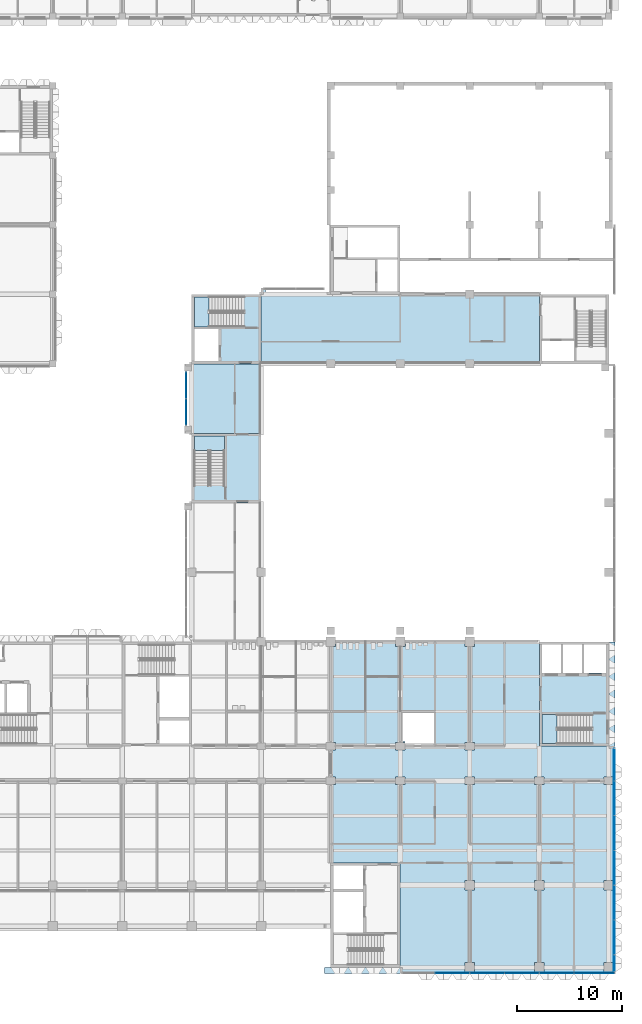
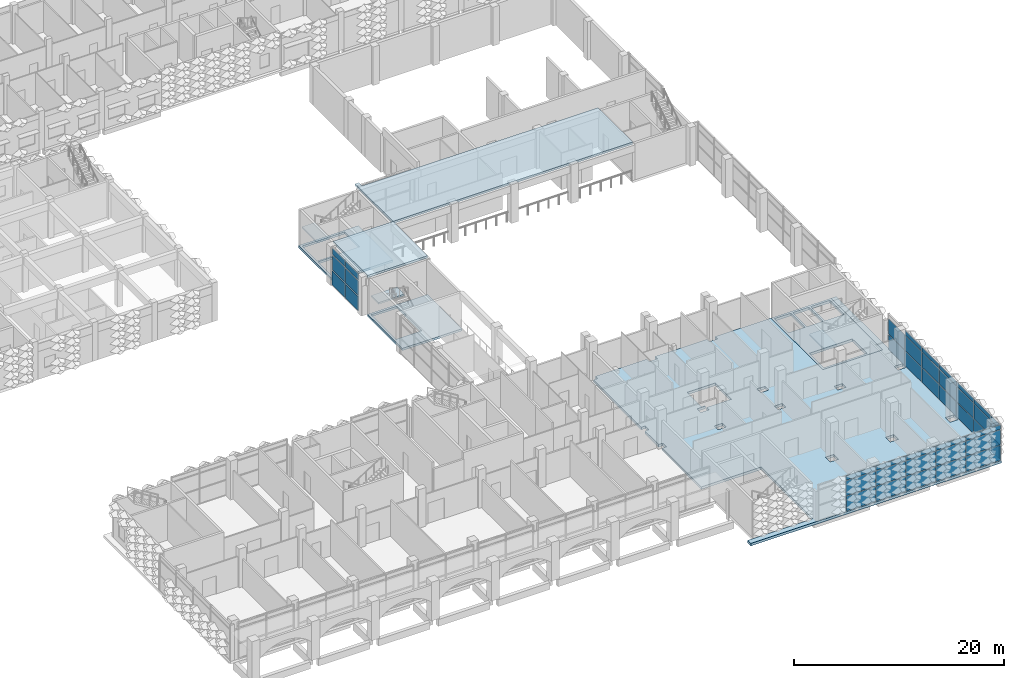
# One storey, part 23 of 87: 41 plates, 9 slabs, 6 elements without a shape of their own.
"""IFC4 building model written with IfcOpenShell, lengths in metres."""

from ifc_helpers import new_model, si_unit, direction, frame, origin, origin_2d, place, context, subcontext, project, spatial, polyline, rectangle, outline, extrude, material, layer, layer_set, type_object, element, aggregate, save


model = new_model("IFC4")

# Units and contexts
model_context = context("Model", 3, precision=1e-05, world=origin(), true_north=direction((0.0, 1.0)))
body_context = subcontext(model_context, "Body", "Model", "MODEL_VIEW")
ifc_project = project(units=[si_unit("LENGTHUNIT", "METRE"), si_unit("AREAUNIT", "SQUARE_METRE"), si_unit("VOLUMEUNIT", "CUBIC_METRE"), si_unit("PLANEANGLEUNIT", "RADIAN"), si_unit("MASSUNIT", "GRAM", prefix="KILO")], contexts=[model_context])

# Site, building, storey
site_placement = place(None, origin())
site = spatial("IfcSite", under=ifc_project, at=site_placement, CompositionType="ELEMENT")
building_placement = place(site_placement, origin())
building = spatial("IfcBuilding", under=site, at=building_placement, Name="Lantern Court Research Institute", CompositionType="ELEMENT")
storey_placement = place(building_placement, frame((0.0, 0.0, 5.39990234375)))
storey = spatial("IfcBuildingStorey", under=building, at=storey_placement, Name="L01", CompositionType="ELEMENT", Elevation=5.39990234375)

# Curtain wall, plates
ifc_material_1 = material(Name="Aluminium alloy 6063-T6", Category="aluminium")
curtain_wall_type_1 = type_object("IfcCurtainWallType", Name="Curtain wall 5200 x 4500 x 150 aluminium frame", PredefinedType="NOTDEFINED", material=ifc_material_1)
curtain_wall_1_placement = place(storey_placement, origin())
curtain_wall_1 = element("IfcCurtainWall", 1, at=curtain_wall_1_placement, inside=storey, type_object=curtain_wall_type_1, Name="Curtain wall CW020", PredefinedType="NOTDEFINED")
ifc_material_2 = material(Name="Fire-resisting insulated aluminium spandrel panel", Category="aluminium")
ifc_layer_1 = layer(ifc_material_2, 0.1201171875)
ifc_layer_set_1 = layer_set([ifc_layer_1], Name="Fire-resisting insulated aluminium spandrel panel")
plate_type_1 = type_object("IfcPlateType", Name="Fire-resisting spandrel panel 120 mm", PredefinedType="CURTAIN_PANEL", material=ifc_layer_set_1)
plate_1_placement = place(storey_placement, frame((39.074951171875, 44.925048828125, 0.10009765625), z_axis=(0.0, 0.0, 1.0), x_axis=(0.0, 1.0, 0.0)))
plate_1 = element("IfcPlate", 2, at=plate_1_placement, type_object=plate_type_1, Name="CW020 spandrel panel 1.1", PredefinedType="CURTAIN_PANEL", context=body_context, shape_type="SweptSolid", body=[
    extrude(rectangle(XDim=2.449951171875, YDim=0.1201171875, at=origin_2d()), origin(), (0.0, 0.0, 1.0), 1.64990234375),
])
plate_2_placement = place(storey_placement, frame((39.074951171875, 47.47509765625, 0.10009765625), z_axis=(0.0, 0.0, 1.0), x_axis=(0.0, 1.0, 0.0)))
plate_2 = element("IfcPlate", 3, at=plate_2_placement, type_object=plate_type_1, Name="CW020 spandrel panel 2.1", PredefinedType="CURTAIN_PANEL", context=body_context, shape_type="SweptSolid", body=[
    extrude(rectangle(XDim=2.449951171875, YDim=0.1201171875, at=origin_2d()), origin(), (0.0, 0.0, 1.0), 1.64990234375),
])

# Slabs
ifc_material_3 = material(Name="Concrete C35/45", Category="concrete")
ifc_layer_2 = layer(ifc_material_3, 0.25)
ifc_layer_set_2 = layer_set([ifc_layer_2], Name="Concrete C35/45")
slab_type_1 = type_object("IfcSlabType", Name="Hall gallery slab 250", PredefinedType="FLOOR", material=ifc_layer_set_2)
slab_1_placement = place(storey_placement, frame((0.0, 0.0, 4.25)))
element("IfcSlab", 4, at=slab_1_placement, inside=storey, type_object=slab_type_1, Name="Atrium gallery floor slab L02", PredefinedType="FLOOR", context=body_context, shape_type="SweptSolid", body=[
    extrude(outline(polyline([(39.60009765625, 49.5), (46.199951171875, 49.5), (46.199951171875, 42.89990234375), (39.60009765625, 42.89990234375), (39.60009765625, 49.5)])), origin(), (0.0, 0.0, 1.0), 0.25),
])
slab_2_placement = place(storey_placement, frame((0.0, 0.0, 4.25)))
element("IfcSlab", 5, at=slab_2_placement, inside=storey, type_object=slab_type_1, Name="Atrium gallery floor slab L02", PredefinedType="FLOOR", context=body_context, shape_type="SweptSolid", body=[
    extrude(outline(polyline([(72.60009765625, 56.10009765625), (72.60009765625, 49.5), (46.199951171875, 49.5), (46.199951171875, 56.699951171875), (46.60009765625, 56.699951171875), (46.60009765625, 56.10009765625), (72.60009765625, 56.10009765625)])), origin(), (0.0, 0.0, 1.0), 0.25),
])

# Curtain wall, plates
ifc_material_4 = material(Name="Aluminium alloy 6063-T6", Category="aluminium")
curtain_wall_type_2 = type_object("IfcCurtainWallType", Name="Curtain wall 20200 x 4200 x 150 aluminium frame", PredefinedType="NOTDEFINED", material=ifc_material_4)
curtain_wall_2_placement = place(storey_placement, origin())
curtain_wall_2 = element("IfcCurtainWall", 6, at=curtain_wall_2_placement, inside=storey, type_object=curtain_wall_type_2, Name="Curtain wall CW033", PredefinedType="NOTDEFINED")
ifc_material_5 = material(Name="Insulated aluminium spandrel panel", Category="aluminium")
ifc_layer_3 = layer(ifc_material_5, 0.10009765625)
ifc_layer_set_3 = layer_set([ifc_layer_3], Name="Insulated aluminium spandrel panel")
plate_type_2 = type_object("IfcPlateType", Name="Insulated spandrel panel 100 mm for south sun", PredefinedType="CURTAIN_PANEL", material=ifc_layer_set_3)
plate_3_placement = place(storey_placement, frame((64.35009765625, -8.324951171875, 0.06005859375), z_axis=(0.0, 0.0, 1.0), x_axis=(-1.0, 0.0, 0.0)))
plate_3 = element("IfcPlate", 7, at=plate_3_placement, type_object=plate_type_2, Name="CW033 spandrel panel 2.1", PredefinedType="CURTAIN_PANEL", context=body_context, shape_type="SweptSolid", body=[
    extrude(rectangle(XDim=3.239990234375, YDim=0.10009765625, at=origin_2d()), origin(), (0.0, 0.0, 1.0), 1.7099609375),
])
plate_4_placement = place(storey_placement, frame((67.64990234375, -8.324951171875, 0.06005859375), z_axis=(0.0, 0.0, 1.0), x_axis=(-1.0, 0.0, 0.0)))
plate_4 = element("IfcPlate", 8, at=plate_4_placement, type_object=plate_type_2, Name="CW033 spandrel panel 3.1", PredefinedType="CURTAIN_PANEL", context=body_context, shape_type="SweptSolid", body=[
    extrude(rectangle(XDim=3.239990234375, YDim=0.10009765625, at=origin_2d()), origin(), (0.0, 0.0, 1.0), 1.7099609375),
])
plate_5_placement = place(storey_placement, frame((70.949951171875, -8.324951171875, 0.06005859375), z_axis=(0.0, 0.0, 1.0), x_axis=(-1.0, 0.0, 0.0)))
plate_5 = element("IfcPlate", 9, at=plate_5_placement, type_object=plate_type_2, Name="CW033 spandrel panel 4.1", PredefinedType="CURTAIN_PANEL", context=body_context, shape_type="SweptSolid", body=[
    extrude(rectangle(XDim=3.239990234375, YDim=0.10009765625, at=origin_2d()), origin(), (0.0, 0.0, 1.0), 1.7099609375),
])
plate_6_placement = place(storey_placement, frame((74.25, -8.324951171875, 0.06005859375), z_axis=(0.0, 0.0, 1.0), x_axis=(-1.0, 0.0, 0.0)))
plate_6 = element("IfcPlate", 10, at=plate_6_placement, type_object=plate_type_2, Name="CW033 spandrel panel 5.1", PredefinedType="CURTAIN_PANEL", context=body_context, shape_type="SweptSolid", body=[
    extrude(rectangle(XDim=3.239990234375, YDim=0.10009765625, at=origin_2d()), origin(), (0.0, 0.0, 1.0), 1.7099609375),
])
plate_7_placement = place(storey_placement, frame((77.8349609375, -8.324951171875, 0.06005859375), z_axis=(0.0, 0.0, 1.0), x_axis=(-1.0, 0.0, 0.0)))
plate_7 = element("IfcPlate", 11, at=plate_7_placement, type_object=plate_type_2, Name="CW033 spandrel panel 6.1", PredefinedType="CURTAIN_PANEL", context=body_context, shape_type="SweptSolid", body=[
    extrude(rectangle(XDim=3.81005859375, YDim=0.10009765625, at=origin_2d()), origin(), (0.0, 0.0, 1.0), 1.7099609375),
])

ifc_material_6 = material(Name="Aluminium alloy 6063-T6", Category="aluminium")
curtain_wall_type_3 = type_object("IfcCurtainWallType", Name="Curtain wall 21250 x 4200 x 150 aluminium frame", PredefinedType="NOTDEFINED", material=ifc_material_6)
curtain_wall_3_placement = place(storey_placement, origin())
curtain_wall_3 = element("IfcCurtainWall", 12, at=curtain_wall_3_placement, inside=storey, type_object=curtain_wall_type_3, Name="Curtain wall CW032", PredefinedType="NOTDEFINED")
ifc_material_7 = material(Name="Insulated aluminium spandrel panel", Category="aluminium")
ifc_layer_4 = layer(ifc_material_7, 0.080078125)
ifc_layer_set_4 = layer_set([ifc_layer_4], Name="Insulated aluminium spandrel panel")
plate_type_3 = type_object("IfcPlateType", Name="Insulated spandrel panel 80 mm", PredefinedType="CURTAIN_PANEL", material=ifc_layer_set_4)
plate_8_placement = place(storey_placement, frame((79.72509765625, -7.409912109375, 0.06005859375), z_axis=(0.0, 0.0, 1.0), x_axis=(0.0, -1.0, 0.0)))
plate_8 = element("IfcPlate", 13, at=plate_8_placement, type_object=plate_type_3, Name="CW032 spandrel panel 1.1", PredefinedType="CURTAIN_PANEL", context=body_context, shape_type="SweptSolid", body=[
    extrude(rectangle(XDim=1.56005859375, YDim=0.080078125, at=origin_2d()), origin(), (0.0, 0.0, 1.0), 1.7099609375),
])
plate_9_placement = place(storey_placement, frame((79.72509765625, -4.949951171875, 0.06005859375), z_axis=(0.0, 0.0, 1.0), x_axis=(0.0, -1.0, 0.0)))
plate_9 = element("IfcPlate", 14, at=plate_9_placement, type_object=plate_type_3, Name="CW032 spandrel panel 2.1", PredefinedType="CURTAIN_PANEL", context=body_context, shape_type="SweptSolid", body=[
    extrude(rectangle(XDim=3.239990234375, YDim=0.080078125, at=origin_2d()), origin(), (0.0, 0.0, 1.0), 1.7099609375),
])
plate_10_placement = place(storey_placement, frame((79.72509765625, -1.64990234375, 0.06005859375), z_axis=(0.0, 0.0, 1.0), x_axis=(0.0, -1.0, 0.0)))
plate_10 = element("IfcPlate", 15, at=plate_10_placement, type_object=plate_type_3, Name="CW032 spandrel panel 3.1", PredefinedType="CURTAIN_PANEL", context=body_context, shape_type="SweptSolid", body=[
    extrude(rectangle(XDim=3.239990234375, YDim=0.080078125, at=origin_2d()), origin(), (0.0, 0.0, 1.0), 1.7099609375),
])
plate_11_placement = place(storey_placement, frame((79.72509765625, 1.64990234375, 0.06005859375), z_axis=(0.0, 0.0, 1.0), x_axis=(0.0, -1.0, 0.0)))
plate_11 = element("IfcPlate", 16, at=plate_11_placement, type_object=plate_type_3, Name="CW032 spandrel panel 4.1", PredefinedType="CURTAIN_PANEL", context=body_context, shape_type="SweptSolid", body=[
    extrude(rectangle(XDim=3.239990234375, YDim=0.080078125, at=origin_2d()), origin(), (0.0, 0.0, 1.0), 1.7099609375),
])
plate_12_placement = place(storey_placement, frame((79.72509765625, 4.949951171875, 0.06005859375), z_axis=(0.0, 0.0, 1.0), x_axis=(0.0, -1.0, 0.0)))
plate_12 = element("IfcPlate", 17, at=plate_12_placement, type_object=plate_type_3, Name="CW032 spandrel panel 5.1", PredefinedType="CURTAIN_PANEL", context=body_context, shape_type="SweptSolid", body=[
    extrude(rectangle(XDim=3.239990234375, YDim=0.080078125, at=origin_2d()), origin(), (0.0, 0.0, 1.0), 1.7099609375),
])
plate_13_placement = place(storey_placement, frame((79.72509765625, 8.25, 0.06005859375), z_axis=(0.0, 0.0, 1.0), x_axis=(0.0, -1.0, 0.0)))
plate_13 = element("IfcPlate", 18, at=plate_13_placement, type_object=plate_type_3, Name="CW032 spandrel panel 6.1", PredefinedType="CURTAIN_PANEL", context=body_context, shape_type="SweptSolid", body=[
    extrude(rectangle(XDim=3.239990234375, YDim=0.080078125, at=origin_2d()), origin(), (0.0, 0.0, 1.0), 1.7099609375),
])
plate_14_placement = place(storey_placement, frame((79.72509765625, 11.43505859375, 0.06005859375), z_axis=(0.0, 0.0, 1.0), x_axis=(0.0, -1.0, 0.0)))
plate_14 = element("IfcPlate", 19, at=plate_14_placement, type_object=plate_type_3, Name="CW032 spandrel panel 7.1", PredefinedType="CURTAIN_PANEL", context=body_context, shape_type="SweptSolid", body=[
    extrude(rectangle(XDim=3.010009765625, YDim=0.080078125, at=origin_2d()), origin(), (0.0, 0.0, 1.0), 1.7099609375),
])

# Plate
ifc_material_8 = material(Name="Laminated low-emissivity glass", Category="glass")
ifc_layer_5 = layer(ifc_material_8, 0.028076171875)
ifc_layer_set_5 = layer_set([ifc_layer_5], Name="Laminated low-emissivity glass")
plate_type_4 = type_object("IfcPlateType", Name="Laminated low-emissivity unit 28 mm", PredefinedType="CURTAIN_PANEL", material=ifc_layer_set_5)
plate_15_placement = place(storey_placement, frame((39.074951171875, 44.925048828125, 1.85009765625), z_axis=(0.0, 0.0, 1.0), x_axis=(0.0, 1.0, 0.0)))
plate_15 = element("IfcPlate", 20, at=plate_15_placement, type_object=plate_type_4, Name="CW020 glazed panel 1.2", PredefinedType="CURTAIN_PANEL", context=body_context, shape_type="SweptSolid", body=[
    extrude(rectangle(XDim=2.449951171875, YDim=0.028076171875, at=origin_2d()), origin(), (0.0, 0.0, 1.0), 1.699951171875),
])

plate_16_placement = place(storey_placement, frame((39.074951171875, 44.925048828125, 3.650146484375), z_axis=(0.0, 0.0, 1.0), x_axis=(0.0, 1.0, 0.0)))
plate_16 = element("IfcPlate", 21, at=plate_16_placement, type_object=plate_type_4, Name="CW020 glazed panel 1.3", PredefinedType="CURTAIN_PANEL", context=body_context, shape_type="SweptSolid", body=[
    extrude(rectangle(XDim=2.449951171875, YDim=0.028076171875, at=origin_2d()), origin(), (0.0, 0.0, 1.0), 0.75),
])

plate_17_placement = place(storey_placement, frame((39.074951171875, 47.47509765625, 1.85009765625), z_axis=(0.0, 0.0, 1.0), x_axis=(0.0, 1.0, 0.0)))
plate_17 = element("IfcPlate", 22, at=plate_17_placement, type_object=plate_type_4, Name="CW020 glazed panel 2.2", PredefinedType="CURTAIN_PANEL", context=body_context, shape_type="SweptSolid", body=[
    extrude(rectangle(XDim=2.449951171875, YDim=0.028076171875, at=origin_2d()), origin(), (0.0, 0.0, 1.0), 1.699951171875),
])

plate_18_placement = place(storey_placement, frame((39.074951171875, 47.47509765625, 3.650146484375), z_axis=(0.0, 0.0, 1.0), x_axis=(0.0, 1.0, 0.0)))
plate_18 = element("IfcPlate", 23, at=plate_18_placement, type_object=plate_type_4, Name="CW020 glazed panel 2.3", PredefinedType="CURTAIN_PANEL", context=body_context, shape_type="SweptSolid", body=[
    extrude(rectangle(XDim=2.449951171875, YDim=0.028076171875, at=origin_2d()), origin(), (0.0, 0.0, 1.0), 0.75),
])

aggregate(curtain_wall_1, [plate_1, plate_15, plate_16, plate_2, plate_17, plate_18])

# Slabs
ifc_material_9 = material(Name="Concrete C35/45", Category="concrete")
ifc_layer_6 = layer(ifc_material_9, 0.25)
ifc_layer_set_6 = layer_set([ifc_layer_6], Name="Concrete C35/45")
slab_type_2 = type_object("IfcSlabType", Name="RC core floor slab 250", PredefinedType="FLOOR", material=ifc_layer_set_6)
slab_3_placement = place(storey_placement, frame((0.0, 0.0, -0.25)))
element("IfcSlab", 24, at=slab_3_placement, inside=storey, type_object=slab_type_2, Name="Floor of core HC-A", PredefinedType="FLOOR", context=body_context, shape_type="SweptSolid", body=[
    extrude(outline(polyline([(39.60009765625, 49.5), (46.199951171875, 49.5), (46.199951171875, 56.10009765625), (39.60009765625, 56.10009765625), (39.60009765625, 49.5)]), holes=[polyline([(44.550048828125, 55.85009765625), (39.85009765625, 55.85009765625), (39.85009765625, 53.0), (44.550048828125, 53.0), (44.550048828125, 55.85009765625)]), polyline([(39.85009765625, 49.75), (42.14990234375, 49.75), (42.14990234375, 52.800048828125), (39.85009765625, 52.800048828125), (39.85009765625, 49.75)])]), origin(), (0.0, 0.0, 1.0), 0.25),
])
slab_4_placement = place(storey_placement, frame((0.0, 0.0, -0.25)))
element("IfcSlab", 25, at=slab_4_placement, inside=storey, type_object=slab_type_2, Name="Floor of core HC-C", PredefinedType="FLOOR", context=body_context, shape_type="SweptSolid", body=[
    extrude(outline(polyline([(39.60009765625, 36.300048828125), (46.199951171875, 36.300048828125), (46.199951171875, 42.89990234375), (39.60009765625, 42.89990234375), (39.60009765625, 36.300048828125)]), holes=[polyline([(42.699951171875, 37.949951171875), (42.699951171875, 42.64990234375), (39.85009765625, 42.64990234375), (39.85009765625, 37.949951171875), (42.699951171875, 37.949951171875)])]), origin(), (0.0, 0.0, 1.0), 0.25),
])
ifc_material_10 = material(Name="Concrete C35/45", Category="concrete")
ifc_layer_7 = layer(ifc_material_10, 0.300048828125)
ifc_layer_set_7 = layer_set([ifc_layer_7], Name="Concrete C35/45")
slab_type_3 = type_object("IfcSlabType", Name="RC core floor slab 300", PredefinedType="FLOOR", material=ifc_layer_set_7)
slab_5_placement = place(storey_placement, frame((0.0, 0.0, -0.2998046875)))
element("IfcSlab", 26, at=slab_5_placement, inside=storey, type_object=slab_type_3, Name="Floor of core TC-E", PredefinedType="FLOOR", context=body_context, shape_type="SweptSolid", body=[
    extrude(outline(polyline([(72.60009765625, 13.199951171875), (79.199951171875, 13.199951171875), (79.199951171875, 23.10009765625), (72.60009765625, 23.10009765625), (72.60009765625, 13.199951171875)]), holes=[polyline([(77.60009765625, 16.199951171875), (72.85009765625, 16.199951171875), (72.85009765625, 13.449951171875), (77.60009765625, 13.449951171875), (77.60009765625, 16.199951171875)]), polyline([(72.85009765625, 20.14990234375), (74.64990234375, 20.14990234375), (74.64990234375, 22.85009765625), (72.85009765625, 22.85009765625), (72.85009765625, 20.14990234375)]), polyline([(74.85009765625, 20.14990234375), (76.64990234375, 20.14990234375), (76.64990234375, 22.85009765625), (74.85009765625, 22.85009765625), (74.85009765625, 20.14990234375)]), polyline([(76.85009765625, 20.14990234375), (78.949951171875, 20.14990234375), (78.949951171875, 22.85009765625), (76.85009765625, 22.85009765625), (76.85009765625, 20.14990234375)])]), origin(), (0.0, 0.0, 1.0), 0.2998046875),
])
ifc_material_11 = material(Name="Concrete C35/45", Category="concrete")
ifc_layer_8 = layer(ifc_material_11, 0.300048828125)
ifc_layer_set_8 = layer_set([ifc_layer_8], Name="Concrete C35/45")
slab_type_4 = type_object("IfcSlabType", Name="RC floor slab 300", PredefinedType="FLOOR", material=ifc_layer_set_8)
slab_6_placement = place(storey_placement, frame((0.0, 0.0, -0.2998046875)))
element("IfcSlab", 27, at=slab_6_placement, inside=storey, type_object=slab_type_4, Name="Floor slab L01 Dry Laboratory and Clean Room Tower", PredefinedType="FLOOR", context=body_context, shape_type="SweptSolid", body=[
    extrude(outline(polyline([(59.39990234375, -7.800048828125), (52.800048828125, -7.800048828125), (52.199951171875, -7.800048828125), (52.199951171875, -8.39990234375), (79.800048828125, -8.39990234375), (79.800048828125, -7.800048828125), (79.800048828125, 23.10009765625), (79.199951171875, 23.10009765625), (79.199951171875, 13.199951171875), (72.60009765625, 13.199951171875), (72.60009765625, 23.10009765625), (66.449951171875, 23.10009765625), (66.449951171875, 22.64990234375), (65.550048828125, 22.64990234375), (65.550048828125, 23.10009765625), (59.85009765625, 23.10009765625), (59.85009765625, 22.64990234375), (58.949951171875, 22.64990234375), (58.949951171875, 23.10009765625), (53.25, 23.10009765625), (53.25, 22.64990234375), (52.800048828125, 22.64990234375), (52.800048828125, 13.550048828125), (53.25, 13.550048828125), (53.25, 12.85009765625), (52.800048828125, 12.85009765625), (52.800048828125, 10.25), (53.25, 10.25), (53.25, 9.550048828125), (52.800048828125, 9.550048828125), (52.800048828125, 2.10009765625), (59.39990234375, 2.10009765625), (59.39990234375, -7.800048828125)]), holes=[polyline([(78.75, -7.35009765625), (79.64990234375, -7.35009765625), (79.64990234375, -8.25), (78.75, -8.25), (78.75, -7.35009765625)]), polyline([(78.75, 0.449951171875), (79.64990234375, 0.449951171875), (79.64990234375, -0.449951171875), (78.75, -0.449951171875), (78.75, 0.449951171875)]), polyline([(78.75, 10.25), (79.64990234375, 10.25), (79.64990234375, 9.550048828125), (78.75, 9.550048828125), (78.75, 10.25)]), polyline([(72.14990234375, -7.35009765625), (73.050048828125, -7.35009765625), (73.050048828125, -8.25), (72.14990234375, -8.25), (72.14990234375, -7.35009765625)]), polyline([(72.14990234375, 0.449951171875), (73.050048828125, 0.449951171875), (73.050048828125, -0.449951171875), (72.14990234375, -0.449951171875), (72.14990234375, 0.449951171875)]), polyline([(72.14990234375, 10.25), (73.050048828125, 10.25), (73.050048828125, 9.550048828125), (72.14990234375, 9.550048828125), (72.14990234375, 10.25)]), polyline([(65.550048828125, -7.35009765625), (66.449951171875, -7.35009765625), (66.449951171875, -8.25), (65.550048828125, -8.25), (65.550048828125, -7.35009765625)]), polyline([(65.550048828125, 0.449951171875), (66.449951171875, 0.449951171875), (66.449951171875, -0.449951171875), (65.550048828125, -0.449951171875), (65.550048828125, 0.449951171875)]), polyline([(65.550048828125, 10.25), (66.449951171875, 10.25), (66.449951171875, 9.550048828125), (65.550048828125, 9.550048828125), (65.550048828125, 10.25)]), polyline([(65.550048828125, 13.550048828125), (66.449951171875, 13.550048828125), (66.449951171875, 12.85009765625), (65.550048828125, 12.85009765625), (65.550048828125, 13.550048828125)]), polyline([(58.949951171875, 10.25), (59.85009765625, 10.25), (59.85009765625, 9.550048828125), (58.949951171875, 9.550048828125), (58.949951171875, 10.25)]), polyline([(58.949951171875, 13.550048828125), (59.85009765625, 13.550048828125), (59.85009765625, 13.64990234375), (59.5, 13.64990234375), (59.5, 16.39990234375), (62.60009765625, 16.39990234375), (62.60009765625, 13.300048828125), (59.85009765625, 13.300048828125), (59.85009765625, 12.85009765625), (58.949951171875, 12.85009765625), (58.949951171875, 13.550048828125)])]), origin(), (0.0, 0.0, 1.0), 0.2998046875),
])

# Stair, slab
ifc_material_12 = material(Name="Concrete C40/50", Category="concrete")
stair_type_1 = type_object("IfcStairType", Name="RC half-turn stair 1300 wide, 4500 rise, 6100 shaft", PredefinedType="HALF_TURN_STAIR", material=ifc_material_12)
stair_1_placement = place(storey_placement, origin())
stair_1 = element("IfcStair", 28, at=stair_1_placement, inside=storey, type_object=stair_type_1, Name="L01 stair ST-T2", PredefinedType="HALF_TURN_STAIR")
ifc_material_13 = material(Name="Concrete C40/50", Category="concrete")
ifc_layer_9 = layer(ifc_material_13, 0.199951171875)
ifc_layer_set_9 = layer_set([ifc_layer_9], Name="Concrete C40/50")
slab_type_5 = type_object("IfcSlabType", Name="RC stair landing 200", PredefinedType="LANDING", material=ifc_layer_set_9)
slab_7_placement = place(storey_placement, frame((0.0, 0.0, 2.050048828125)))
slab_7 = element("IfcSlab", 29, at=slab_7_placement, type_object=slab_type_5, Name="ST-T2 landing 1", PredefinedType="LANDING", context=body_context, shape_type="SweptSolid", body=[
    extrude(outline(polyline([(74.2900390625, 16.199951171875), (72.85009765625, 16.199951171875), (72.85009765625, 13.449951171875), (74.2900390625, 13.449951171875), (74.2900390625, 16.199951171875)])), origin(), (0.0, 0.0, 1.0), 0.199951171875),
])
aggregate(stair_1, [slab_7])

ifc_material_14 = material(Name="Concrete C40/50", Category="concrete")
stair_type_2 = type_object("IfcStairType", Name="RC half-turn stair 1350 wide, 4500 rise, 6100 shaft", PredefinedType="HALF_TURN_STAIR", material=ifc_material_14)
stair_2_placement = place(storey_placement, origin())
stair_2 = element("IfcStair", 30, at=stair_2_placement, inside=storey, type_object=stair_type_2, Name="L01 stair ST-H1", PredefinedType="HALF_TURN_STAIR")
slab_8_placement = place(storey_placement, frame((0.0, 0.0, 2.050048828125)))
slab_8 = element("IfcSlab", 31, at=slab_8_placement, type_object=slab_type_5, Name="ST-H1 landing 1", PredefinedType="LANDING", context=body_context, shape_type="SweptSolid", body=[
    extrude(outline(polyline([(41.239990234375, 55.85009765625), (39.85009765625, 55.85009765625), (39.85009765625, 53.0), (41.239990234375, 53.0), (41.239990234375, 55.85009765625)])), origin(), (0.0, 0.0, 1.0), 0.199951171875),
])
aggregate(stair_2, [slab_8])

stair_3_placement = place(storey_placement, origin())
stair_3 = element("IfcStair", 32, at=stair_3_placement, inside=storey, type_object=stair_type_2, Name="L01 stair ST-H3", PredefinedType="HALF_TURN_STAIR")
slab_9_placement = place(storey_placement, frame((0.0, 0.0, 2.050048828125)))
slab_9 = element("IfcSlab", 33, at=slab_9_placement, type_object=slab_type_5, Name="ST-H3 landing 1", PredefinedType="LANDING", context=body_context, shape_type="SweptSolid", body=[
    extrude(outline(polyline([(42.699951171875, 41.260009765625), (42.699951171875, 42.64990234375), (39.85009765625, 42.64990234375), (39.85009765625, 41.260009765625), (42.699951171875, 41.260009765625)])), origin(), (0.0, 0.0, 1.0), 0.199951171875),
])
aggregate(stair_3, [slab_9])

# Plate
ifc_material_15 = material(Name="Laminated low-emissivity glass", Category="glass")
ifc_layer_10 = layer(ifc_material_15, 0.035888671875)
ifc_layer_set_10 = layer_set([ifc_layer_10], Name="Laminated low-emissivity glass")
plate_type_5 = type_object("IfcPlateType", Name="Solar control laminated unit 36 mm", PredefinedType="CURTAIN_PANEL", material=ifc_layer_set_10)
plate_19_placement = place(storey_placement, frame((79.72509765625, -7.409912109375, 1.830078125), z_axis=(0.0, 0.0, 1.0), x_axis=(0.0, -1.0, 0.0)))
plate_19 = element("IfcPlate", 34, at=plate_19_placement, type_object=plate_type_5, Name="CW032 glazed panel 1.2", PredefinedType="CURTAIN_PANEL", context=body_context, shape_type="SweptSolid", body=[
    extrude(rectangle(XDim=1.56005859375, YDim=0.035888671875, at=origin_2d()), origin(), (0.0, 0.0, 1.0), 1.739990234375),
])

plate_20_placement = place(storey_placement, frame((79.72509765625, -7.409912109375, 3.6298828125), z_axis=(0.0, 0.0, 1.0), x_axis=(0.0, -1.0, 0.0)))
plate_20 = element("IfcPlate", 35, at=plate_20_placement, type_object=plate_type_5, Name="CW032 glazed panel 1.3", PredefinedType="CURTAIN_PANEL", context=body_context, shape_type="SweptSolid", body=[
    extrude(rectangle(XDim=1.56005859375, YDim=0.035888671875, at=origin_2d()), origin(), (0.0, 0.0, 1.0), 0.510009765625),
])

plate_21_placement = place(storey_placement, frame((79.72509765625, -4.949951171875, 1.830078125), z_axis=(0.0, 0.0, 1.0), x_axis=(0.0, -1.0, 0.0)))
plate_21 = element("IfcPlate", 36, at=plate_21_placement, type_object=plate_type_5, Name="CW032 glazed panel 2.2", PredefinedType="CURTAIN_PANEL", context=body_context, shape_type="SweptSolid", body=[
    extrude(rectangle(XDim=3.239990234375, YDim=0.035888671875, at=origin_2d()), origin(), (0.0, 0.0, 1.0), 1.739990234375),
])

plate_22_placement = place(storey_placement, frame((79.72509765625, -4.949951171875, 3.6298828125), z_axis=(0.0, 0.0, 1.0), x_axis=(0.0, -1.0, 0.0)))
plate_22 = element("IfcPlate", 37, at=plate_22_placement, type_object=plate_type_5, Name="CW032 glazed panel 2.3", PredefinedType="CURTAIN_PANEL", context=body_context, shape_type="SweptSolid", body=[
    extrude(rectangle(XDim=3.239990234375, YDim=0.035888671875, at=origin_2d()), origin(), (0.0, 0.0, 1.0), 0.510009765625),
])

plate_23_placement = place(storey_placement, frame((79.72509765625, -1.64990234375, 1.830078125), z_axis=(0.0, 0.0, 1.0), x_axis=(0.0, -1.0, 0.0)))
plate_23 = element("IfcPlate", 38, at=plate_23_placement, type_object=plate_type_5, Name="CW032 glazed panel 3.2", PredefinedType="CURTAIN_PANEL", context=body_context, shape_type="SweptSolid", body=[
    extrude(rectangle(XDim=3.239990234375, YDim=0.035888671875, at=origin_2d()), origin(), (0.0, 0.0, 1.0), 1.739990234375),
])

plate_24_placement = place(storey_placement, frame((79.72509765625, -1.64990234375, 3.6298828125), z_axis=(0.0, 0.0, 1.0), x_axis=(0.0, -1.0, 0.0)))
plate_24 = element("IfcPlate", 39, at=plate_24_placement, type_object=plate_type_5, Name="CW032 glazed panel 3.3", PredefinedType="CURTAIN_PANEL", context=body_context, shape_type="SweptSolid", body=[
    extrude(rectangle(XDim=3.239990234375, YDim=0.035888671875, at=origin_2d()), origin(), (0.0, 0.0, 1.0), 0.510009765625),
])

plate_25_placement = place(storey_placement, frame((79.72509765625, 1.64990234375, 1.830078125), z_axis=(0.0, 0.0, 1.0), x_axis=(0.0, -1.0, 0.0)))
plate_25 = element("IfcPlate", 40, at=plate_25_placement, type_object=plate_type_5, Name="CW032 glazed panel 4.2", PredefinedType="CURTAIN_PANEL", context=body_context, shape_type="SweptSolid", body=[
    extrude(rectangle(XDim=3.239990234375, YDim=0.035888671875, at=origin_2d()), origin(), (0.0, 0.0, 1.0), 1.739990234375),
])

plate_26_placement = place(storey_placement, frame((79.72509765625, 1.64990234375, 3.6298828125), z_axis=(0.0, 0.0, 1.0), x_axis=(0.0, -1.0, 0.0)))
plate_26 = element("IfcPlate", 41, at=plate_26_placement, type_object=plate_type_5, Name="CW032 glazed panel 4.3", PredefinedType="CURTAIN_PANEL", context=body_context, shape_type="SweptSolid", body=[
    extrude(rectangle(XDim=3.239990234375, YDim=0.035888671875, at=origin_2d()), origin(), (0.0, 0.0, 1.0), 0.510009765625),
])

plate_27_placement = place(storey_placement, frame((79.72509765625, 4.949951171875, 1.830078125), z_axis=(0.0, 0.0, 1.0), x_axis=(0.0, -1.0, 0.0)))
plate_27 = element("IfcPlate", 42, at=plate_27_placement, type_object=plate_type_5, Name="CW032 glazed panel 5.2", PredefinedType="CURTAIN_PANEL", context=body_context, shape_type="SweptSolid", body=[
    extrude(rectangle(XDim=3.239990234375, YDim=0.035888671875, at=origin_2d()), origin(), (0.0, 0.0, 1.0), 1.739990234375),
])

plate_28_placement = place(storey_placement, frame((79.72509765625, 4.949951171875, 3.6298828125), z_axis=(0.0, 0.0, 1.0), x_axis=(0.0, -1.0, 0.0)))
plate_28 = element("IfcPlate", 43, at=plate_28_placement, type_object=plate_type_5, Name="CW032 glazed panel 5.3", PredefinedType="CURTAIN_PANEL", context=body_context, shape_type="SweptSolid", body=[
    extrude(rectangle(XDim=3.239990234375, YDim=0.035888671875, at=origin_2d()), origin(), (0.0, 0.0, 1.0), 0.510009765625),
])

plate_29_placement = place(storey_placement, frame((79.72509765625, 8.25, 1.830078125), z_axis=(0.0, 0.0, 1.0), x_axis=(0.0, -1.0, 0.0)))
plate_29 = element("IfcPlate", 44, at=plate_29_placement, type_object=plate_type_5, Name="CW032 glazed panel 6.2", PredefinedType="CURTAIN_PANEL", context=body_context, shape_type="SweptSolid", body=[
    extrude(rectangle(XDim=3.239990234375, YDim=0.035888671875, at=origin_2d()), origin(), (0.0, 0.0, 1.0), 1.739990234375),
])

plate_30_placement = place(storey_placement, frame((79.72509765625, 8.25, 3.6298828125), z_axis=(0.0, 0.0, 1.0), x_axis=(0.0, -1.0, 0.0)))
plate_30 = element("IfcPlate", 45, at=plate_30_placement, type_object=plate_type_5, Name="CW032 glazed panel 6.3", PredefinedType="CURTAIN_PANEL", context=body_context, shape_type="SweptSolid", body=[
    extrude(rectangle(XDim=3.239990234375, YDim=0.035888671875, at=origin_2d()), origin(), (0.0, 0.0, 1.0), 0.510009765625),
])

plate_31_placement = place(storey_placement, frame((79.72509765625, 11.43505859375, 1.830078125), z_axis=(0.0, 0.0, 1.0), x_axis=(0.0, -1.0, 0.0)))
plate_31 = element("IfcPlate", 46, at=plate_31_placement, type_object=plate_type_5, Name="CW032 glazed panel 7.2", PredefinedType="CURTAIN_PANEL", context=body_context, shape_type="SweptSolid", body=[
    extrude(rectangle(XDim=3.010009765625, YDim=0.035888671875, at=origin_2d()), origin(), (0.0, 0.0, 1.0), 1.739990234375),
])

aggregate(curtain_wall_3, [plate_8, plate_19, plate_20, plate_9, plate_21, plate_22, plate_10, plate_23, plate_24, plate_11, plate_25, plate_26, plate_12, plate_27, plate_28, plate_13, plate_29, plate_30, plate_14, plate_31])

plate_32_placement = place(storey_placement, frame((64.35009765625, -8.324951171875, 1.830078125), z_axis=(0.0, 0.0, 1.0), x_axis=(-1.0, 0.0, 0.0)))
plate_32 = element("IfcPlate", 47, at=plate_32_placement, type_object=plate_type_5, Name="CW033 glazed panel 2.2", PredefinedType="CURTAIN_PANEL", context=body_context, shape_type="SweptSolid", body=[
    extrude(rectangle(XDim=3.239990234375, YDim=0.035888671875, at=origin_2d()), origin(), (0.0, 0.0, 1.0), 1.739990234375),
])

plate_33_placement = place(storey_placement, frame((64.35009765625, -8.324951171875, 3.6298828125), z_axis=(0.0, 0.0, 1.0), x_axis=(-1.0, 0.0, 0.0)))
plate_33 = element("IfcPlate", 48, at=plate_33_placement, type_object=plate_type_5, Name="CW033 glazed panel 2.3", PredefinedType="CURTAIN_PANEL", context=body_context, shape_type="SweptSolid", body=[
    extrude(rectangle(XDim=3.239990234375, YDim=0.035888671875, at=origin_2d()), origin(), (0.0, 0.0, 1.0), 0.510009765625),
])

plate_34_placement = place(storey_placement, frame((67.64990234375, -8.324951171875, 1.830078125), z_axis=(0.0, 0.0, 1.0), x_axis=(-1.0, 0.0, 0.0)))
plate_34 = element("IfcPlate", 49, at=plate_34_placement, type_object=plate_type_5, Name="CW033 glazed panel 3.2", PredefinedType="CURTAIN_PANEL", context=body_context, shape_type="SweptSolid", body=[
    extrude(rectangle(XDim=3.239990234375, YDim=0.035888671875, at=origin_2d()), origin(), (0.0, 0.0, 1.0), 1.739990234375),
])

plate_35_placement = place(storey_placement, frame((67.64990234375, -8.324951171875, 3.6298828125), z_axis=(0.0, 0.0, 1.0), x_axis=(-1.0, 0.0, 0.0)))
plate_35 = element("IfcPlate", 50, at=plate_35_placement, type_object=plate_type_5, Name="CW033 glazed panel 3.3", PredefinedType="CURTAIN_PANEL", context=body_context, shape_type="SweptSolid", body=[
    extrude(rectangle(XDim=3.239990234375, YDim=0.035888671875, at=origin_2d()), origin(), (0.0, 0.0, 1.0), 0.510009765625),
])

plate_36_placement = place(storey_placement, frame((70.949951171875, -8.324951171875, 1.830078125), z_axis=(0.0, 0.0, 1.0), x_axis=(-1.0, 0.0, 0.0)))
plate_36 = element("IfcPlate", 51, at=plate_36_placement, type_object=plate_type_5, Name="CW033 glazed panel 4.2", PredefinedType="CURTAIN_PANEL", context=body_context, shape_type="SweptSolid", body=[
    extrude(rectangle(XDim=3.239990234375, YDim=0.035888671875, at=origin_2d()), origin(), (0.0, 0.0, 1.0), 1.739990234375),
])

plate_37_placement = place(storey_placement, frame((70.949951171875, -8.324951171875, 3.6298828125), z_axis=(0.0, 0.0, 1.0), x_axis=(-1.0, 0.0, 0.0)))
plate_37 = element("IfcPlate", 52, at=plate_37_placement, type_object=plate_type_5, Name="CW033 glazed panel 4.3", PredefinedType="CURTAIN_PANEL", context=body_context, shape_type="SweptSolid", body=[
    extrude(rectangle(XDim=3.239990234375, YDim=0.035888671875, at=origin_2d()), origin(), (0.0, 0.0, 1.0), 0.510009765625),
])

plate_38_placement = place(storey_placement, frame((74.25, -8.324951171875, 1.830078125), z_axis=(0.0, 0.0, 1.0), x_axis=(-1.0, 0.0, 0.0)))
plate_38 = element("IfcPlate", 53, at=plate_38_placement, type_object=plate_type_5, Name="CW033 glazed panel 5.2", PredefinedType="CURTAIN_PANEL", context=body_context, shape_type="SweptSolid", body=[
    extrude(rectangle(XDim=3.239990234375, YDim=0.035888671875, at=origin_2d()), origin(), (0.0, 0.0, 1.0), 1.739990234375),
])

plate_39_placement = place(storey_placement, frame((74.25, -8.324951171875, 3.6298828125), z_axis=(0.0, 0.0, 1.0), x_axis=(-1.0, 0.0, 0.0)))
plate_39 = element("IfcPlate", 54, at=plate_39_placement, type_object=plate_type_5, Name="CW033 glazed panel 5.3", PredefinedType="CURTAIN_PANEL", context=body_context, shape_type="SweptSolid", body=[
    extrude(rectangle(XDim=3.239990234375, YDim=0.035888671875, at=origin_2d()), origin(), (0.0, 0.0, 1.0), 0.510009765625),
])

plate_40_placement = place(storey_placement, frame((77.8349609375, -8.324951171875, 1.830078125), z_axis=(0.0, 0.0, 1.0), x_axis=(-1.0, 0.0, 0.0)))
plate_40 = element("IfcPlate", 55, at=plate_40_placement, type_object=plate_type_5, Name="CW033 glazed panel 6.2", PredefinedType="CURTAIN_PANEL", context=body_context, shape_type="SweptSolid", body=[
    extrude(rectangle(XDim=3.81005859375, YDim=0.035888671875, at=origin_2d()), origin(), (0.0, 0.0, 1.0), 1.739990234375),
])

plate_41_placement = place(storey_placement, frame((77.8349609375, -8.324951171875, 3.6298828125), z_axis=(0.0, 0.0, 1.0), x_axis=(-1.0, 0.0, 0.0)))
plate_41 = element("IfcPlate", 56, at=plate_41_placement, type_object=plate_type_5, Name="CW033 glazed panel 6.3", PredefinedType="CURTAIN_PANEL", context=body_context, shape_type="SweptSolid", body=[
    extrude(rectangle(XDim=3.81005859375, YDim=0.035888671875, at=origin_2d()), origin(), (0.0, 0.0, 1.0), 0.510009765625),
])

aggregate(curtain_wall_2, [plate_3, plate_32, plate_33, plate_4, plate_34, plate_35, plate_5, plate_36, plate_37, plate_6, plate_38, plate_39, plate_7, plate_40, plate_41])

save(model, "model.ifc")
